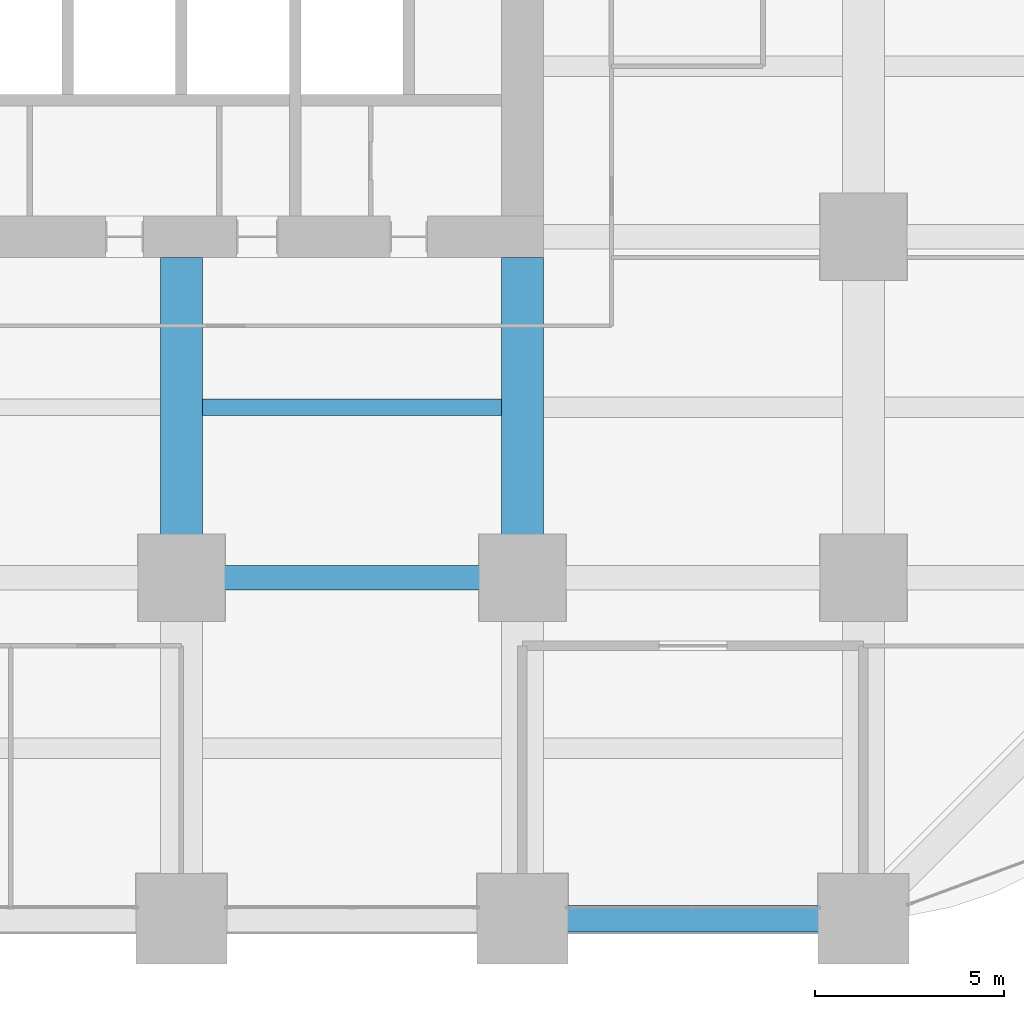
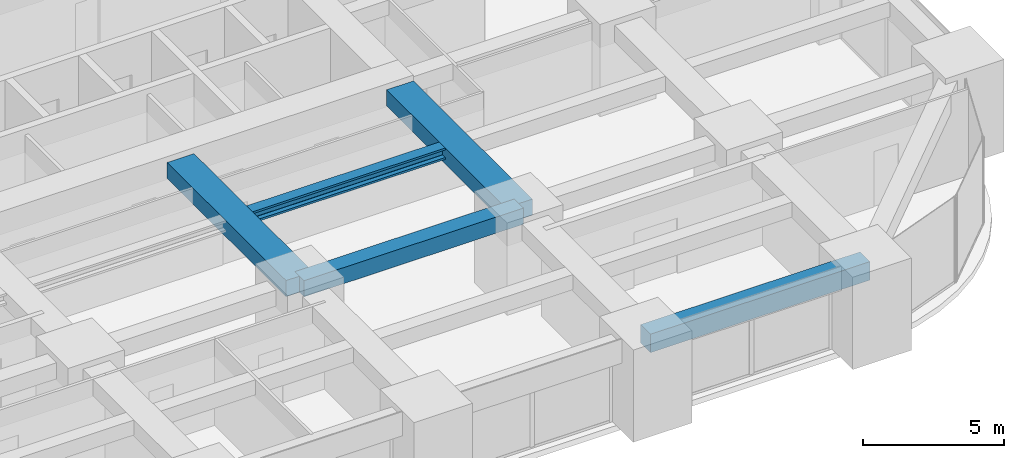
# One storey, part 14 of 44: 5 beams.
"""IFC4 building model written with IfcOpenShell, lengths in metres."""

from ifc_helpers import new_model, si_unit, direction, frame, origin, origin_2d, place, context, subcontext, project, spatial, rectangle, i_section, extrude, material, material_profile, profile_set, type_object, element, save


model = new_model("IFC4")

# Units and contexts
model_context = context("Model", 3, precision=1e-05, world=origin(), true_north=direction((0.0, 1.0)))
body_context = subcontext(model_context, "Body", "Model", "MODEL_VIEW")
ifc_project = project(units=[si_unit("LENGTHUNIT", "METRE"), si_unit("AREAUNIT", "SQUARE_METRE"), si_unit("VOLUMEUNIT", "CUBIC_METRE"), si_unit("PLANEANGLEUNIT", "RADIAN"), si_unit("MASSUNIT", "GRAM", prefix="KILO")], contexts=[model_context])

# Site, building, storey
site_placement = place(None, origin())
site = spatial("IfcSite", under=ifc_project, at=site_placement, CompositionType="ELEMENT")
building_placement = place(site_placement, origin())
building = spatial("IfcBuilding", under=site, at=building_placement, Name="Zorevar Civic Tower", CompositionType="ELEMENT")
storey_placement = place(building_placement, frame((0.0, 0.0, 31.800048828125)))
storey = spatial("IfcBuildingStorey", under=building, at=storey_placement, Name="L07", CompositionType="ELEMENT", Elevation=31.800048828125)

# Beams
ifc_material_1 = material(Name="Concrete C50/60", Category="concrete")
ifc_material_profile_1 = material_profile(ifc_material_1, rectangle(XDim=1.10009765625, YDim=0.699951171875, at=origin_2d()), Name="RC 1100x700")
ifc_profile_set_1 = profile_set([ifc_material_profile_1], Name="Concrete C50/60")
beam_type_1 = type_object("IfcBeamType", Name="Beam RC 1100x700", PredefinedType="BEAM", material=ifc_profile_set_1)
for number, where, z_axis, x_axis, name in (
    (1, (36.0, 9.0, 3.39990234375), (0.0, 1.0, 0.0), (-1.0, 0.0, 0.0), "Girder L08"),
    (2, (45.0, 9.0, 3.39990234375), (0.0, 1.0, 0.0), (-1.0, 0.0, 0.0), "Girder L08"),
):
    element("IfcBeam", number, at=place(storey_placement, frame(where, z_axis=z_axis, x_axis=x_axis)), inside=storey, type_object=beam_type_1, Name=name, PredefinedType="BEAM", context=body_context, shape_type="SweptSolid", body=[
        extrude(rectangle(XDim=1.10009765625, YDim=0.699951171875, at=origin_2d()), origin(), (0.0, 0.0, 1.0), 8.449951171875),
    ])
ifc_material_2 = material(Name="Concrete C50/60", Category="concrete")
ifc_material_profile_2 = material_profile(ifc_material_2, rectangle(XDim=0.64990234375, YDim=0.699951171875, at=origin_2d()), Name="RC 650x700")
ifc_profile_set_2 = profile_set([ifc_material_profile_2], Name="Concrete C50/60")
beam_type_2 = type_object("IfcBeamType", Name="Beam RC 650x700", PredefinedType="BEAM", material=ifc_profile_set_2)
beam_1_placement = place(storey_placement, frame((36.0, 9.0, 3.39990234375), z_axis=(1.0, 0.0, 0.0), x_axis=(0.0, 1.0, 0.0)))
element("IfcBeam", 3, at=beam_1_placement, inside=storey, type_object=beam_type_2, Name="Girder L08", PredefinedType="BEAM", context=body_context, shape_type="SweptSolid", body=[
    extrude(rectangle(XDim=0.64990234375, YDim=0.699951171875, at=origin_2d()), origin(), (0.0, 0.0, 1.0), 9.0),
])
ifc_material_3 = material(Name="Steel S460M (HISTAR 460)", Category="steel")
ifc_material_profile_3 = material_profile(ifc_material_3, i_section(OverallWidth=0.431884765625, OverallDepth=0.498046875, WebThickness=0.0556640625, FlangeThickness=0.0888671875, FilletRadius=0.014892578125, at=origin_2d()), Name="HD 400x744")
ifc_profile_set_3 = profile_set([ifc_material_profile_3], Name="Steel S460M (HISTAR 460)")
beam_type_3 = type_object("IfcBeamType", Name="Core bay beam HD 400x744", PredefinedType="BEAM", material=ifc_profile_set_3)
beam_2_placement = place(storey_placement, frame((36.550048828125, 13.5, 3.5009765625), z_axis=(1.0, 0.0, 0.0), x_axis=(0.0, 1.0, 0.0)))
element("IfcBeam", 4, at=beam_2_placement, inside=storey, type_object=beam_type_3, Name="Secondary beam L08", PredefinedType="BEAM", context=body_context, shape_type="SweptSolid", body=[
    extrude(i_section(OverallWidth=0.431884765625, OverallDepth=0.498046875, WebThickness=0.0556640625, FlangeThickness=0.0888671875, FilletRadius=0.014892578125, at=origin_2d()), origin(), (0.0, 0.0, 1.0), 7.89990234375),
])
ifc_material_4 = material(Name="Concrete C50/60", Category="concrete")
ifc_material_profile_4 = material_profile(ifc_material_4, rectangle(XDim=0.699951171875, YDim=0.800048828125, at=origin_2d()), Name="RC 700x800")
ifc_profile_set_4 = profile_set([ifc_material_profile_4], Name="Concrete C50/60")
beam_type_4 = type_object("IfcBeamType", Name="Edge beam RC 700x800", PredefinedType="SPANDREL", material=ifc_profile_set_4)
beam_3_placement = place(storey_placement, frame((45.0, 0.0, 3.349853515625), z_axis=(1.0, 0.0, 0.0), x_axis=(0.0, 1.0, 0.0)))
element("IfcBeam", 5, at=beam_3_placement, inside=storey, type_object=beam_type_4, Name="Edge beam L08", PredefinedType="SPANDREL", context=body_context, shape_type="SweptSolid", body=[
    extrude(rectangle(XDim=0.699951171875, YDim=0.800048828125, at=origin_2d()), origin(), (0.0, 0.0, 1.0), 9.0),
])

save(model, "model.ifc")
